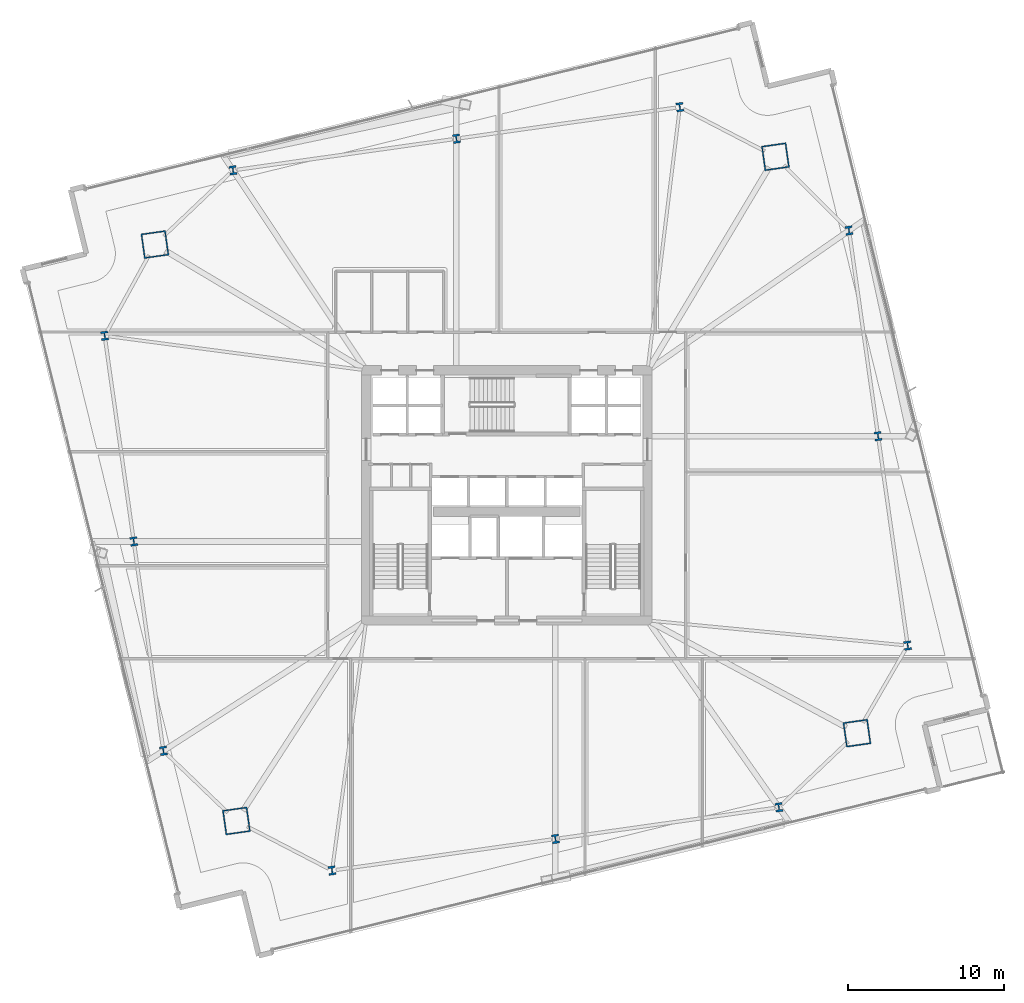
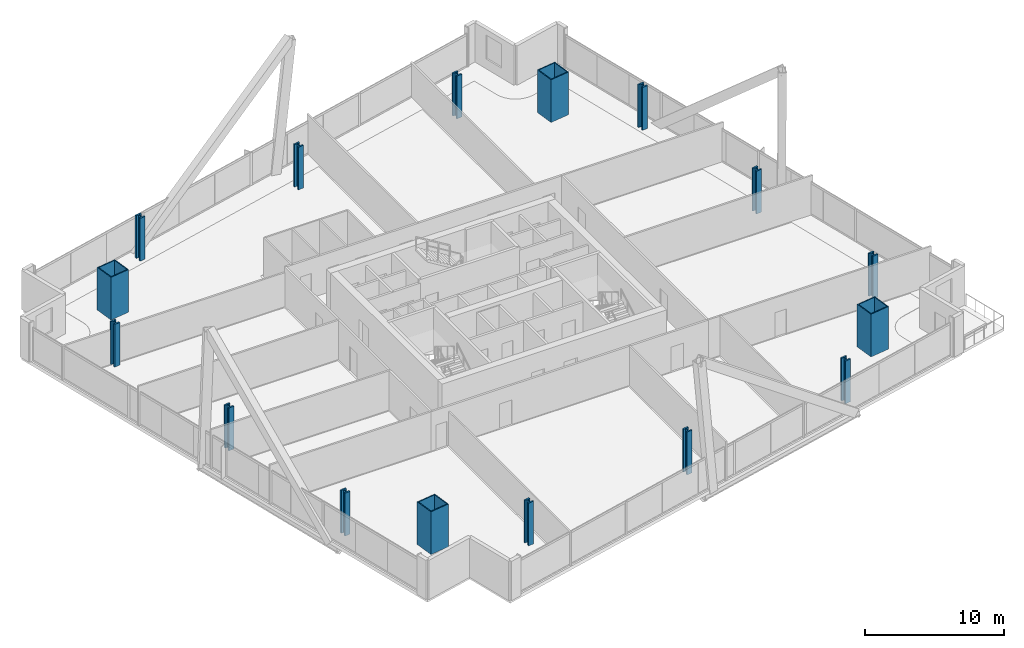
# One storey, part 1 of 32: 16 columns.
"""IFC4 building model written with IfcOpenShell, lengths in metres."""

from ifc_helpers import new_model, si_unit, direction, frame, origin, origin_2d, place, context, subcontext, project, spatial, hollow_rectangle, i_section, extrude, material, material_profile, profile_set, type_object, element, save


model = new_model("IFC4")

# Units and contexts
model_context = context("Model", 3, precision=1e-05, world=origin(), true_north=direction((0.0, 1.0)))
body_context = subcontext(model_context, "Body", "Model", "MODEL_VIEW")
ifc_project = project(units=[si_unit("LENGTHUNIT", "METRE"), si_unit("AREAUNIT", "SQUARE_METRE"), si_unit("VOLUMEUNIT", "CUBIC_METRE"), si_unit("PLANEANGLEUNIT", "RADIAN"), si_unit("MASSUNIT", "GRAM", prefix="KILO")], contexts=[model_context])

# Site, building, storey
site_placement = place(None, origin())
site = spatial("IfcSite", under=ifc_project, at=site_placement, CompositionType="ELEMENT")
building_placement = place(site_placement, origin())
building = spatial("IfcBuilding", under=site, at=building_placement, Name="Haldenkirk Collegiate Tower", CompositionType="ELEMENT")
storey_placement = place(building_placement, frame((0.0, 0.0, 73.949951171875)))
storey = spatial("IfcBuildingStorey", under=building, at=storey_placement, Name="L17", CompositionType="ELEMENT", Elevation=73.949951171875)

# Columns
ifc_material_1 = material(Name="Steel ASTM A913 Grade 65", Category="steel")
ifc_material_profile_1 = material_profile(ifc_material_1, i_section(OverallWidth=0.4541015625, OverallDepth=0.569091796875, WebThickness=0.077880859375, FlangeThickness=0.124755859375, at=origin_2d()), Name="W14X730")
ifc_profile_set_1 = profile_set([ifc_material_profile_1], Name="Steel ASTM A913 Grade 65")
column_type_1 = type_object("IfcColumnType", Name="COL-INT-W14X730", PredefinedType="COLUMN", material=ifc_profile_set_1)
for number, where, z_axis, x_axis, name in (
    (1, (24.815185546875, 1.997314453125, 0.0), (0.0, 0.0, 1.0), (0.990146240249, 0.140037219771, 0.0), "L17 perimeter gravity column PC-S1"),
    (2, (39.10888671875, 4.018798828125, 0.0), (0.0, 0.0, 1.0), (0.990146240249, 0.140037219771, 0.0), "L17 perimeter gravity column PC-S2"),
    (3, (53.402587890625, 6.040283203125, 0.0), (0.0, 0.0, 1.0), (0.990146240249, 0.140037219771, 0.0), "L17 perimeter gravity column PC-S3"),
    (4, (61.648193359375, 16.39306640625, 0.0), (0.0, 0.0, 1.0), (0.990146240249, 0.140037219771, 0.0), "L17 perimeter gravity column PC-E1"),
    (5, (59.75341796875, 29.788818359375, 0.0), (0.0, 0.0, 1.0), (0.990146240249, 0.140037219771, 0.0), "L17 perimeter gravity column PC-E2"),
    (6, (57.892333984375, 42.94873046875, 0.0), (0.0, 0.0, 1.0), (0.990146240249, 0.140037219771, 0.0), "L17 perimeter gravity column PC-E3"),
    (7, (47.06591796875, 50.844482421875, 0.0), (0.0, 0.0, 1.0), (0.990146240249, 0.140037219771, 0.0), "L17 perimeter gravity column PC-N1"),
    (8, (32.772216796875, 48.822998046875, 0.0), (0.0, 0.0, 1.0), (0.990146240249, 0.140037219771, 0.0), "L17 perimeter gravity column PC-N2"),
    (9, (18.478515625, 46.80126953125, 0.0), (0.0, 0.0, 1.0), (0.990146240249, 0.140037219771, 0.0), "L17 perimeter gravity column PC-N3"),
    (10, (10.26611328125, 36.212890625, 0.0), (0.0, 0.0, 1.0), (0.990146240249, 0.140037219771, 0.0), "L17 perimeter gravity column PC-W1"),
    (11, (12.12744140625, 23.052978515625, 0.0), (0.0, 0.0, 1.0), (0.990146240249, 0.140037219771, 0.0), "L17 perimeter gravity column PC-W2"),
    (12, (14.02197265625, 9.6572265625, 0.0), (0.0, 0.0, 1.0), (0.990146240249, 0.140037219771, 0.0), "L17 perimeter gravity column PC-W3"),
):
    element("IfcColumn", number, at=place(storey_placement, frame(where, z_axis=z_axis, x_axis=x_axis)), inside=storey, type_object=column_type_1, Name=name, PredefinedType="COLUMN", context=body_context, shape_type="SweptSolid", body=[
        extrude(i_section(OverallWidth=0.4541015625, OverallDepth=0.569091796875, WebThickness=0.077880859375, FlangeThickness=0.124755859375, at=origin_2d()), origin(), (0.0, 0.0, 1.0), 3.75),
    ])
ifc_material_2 = material(Name="Steel ASTM A572 Grade 50", Category="steel")
ifc_material_profile_2 = material_profile(ifc_material_2, hollow_rectangle(XDim=1.60009765625, YDim=1.60009765625, WallThickness=0.080078125, at=origin_2d()), Name="BOX1600X1600X80")
ifc_profile_set_2 = profile_set([ifc_material_profile_2], Name="Steel ASTM A572 Grade 50")
column_type_2 = type_object("IfcColumnType", Name="COL-MEGA-BOX1600X1600X80", PredefinedType="COLUMN", material=ifc_profile_set_2)
for number, where, z_axis, x_axis, name in (
    (13, (18.6962890625, 5.171630859375, 0.0), (0.0, 0.0, 1.0), (0.990146240249, 0.140037219771, 0.0), "L17 corner mega-column MC1"),
    (14, (58.401123046875, 10.787109375, 0.0), (0.0, 0.0, 1.0), (0.990146240249, 0.140037219771, 0.0), "L17 corner mega-column MC2"),
    (15, (53.184814453125, 47.669921875, 0.0), (0.0, 0.0, 1.0), (0.990146240249, 0.140037219771, 0.0), "L17 corner mega-column MC3"),
    (16, (13.47998046875, 42.054443359375, 0.0), (0.0, 0.0, 1.0), (0.990146240249, 0.140037219771, 0.0), "L17 corner mega-column MC4"),
):
    element("IfcColumn", number, at=place(storey_placement, frame(where, z_axis=z_axis, x_axis=x_axis)), inside=storey, type_object=column_type_2, Name=name, PredefinedType="COLUMN", context=body_context, shape_type="SweptSolid", body=[
        extrude(hollow_rectangle(XDim=1.60009765625, YDim=1.60009765625, WallThickness=0.080078125, at=origin_2d()), origin(), (0.0, 0.0, 1.0), 3.75),
    ])

save(model, "model.ifc")
